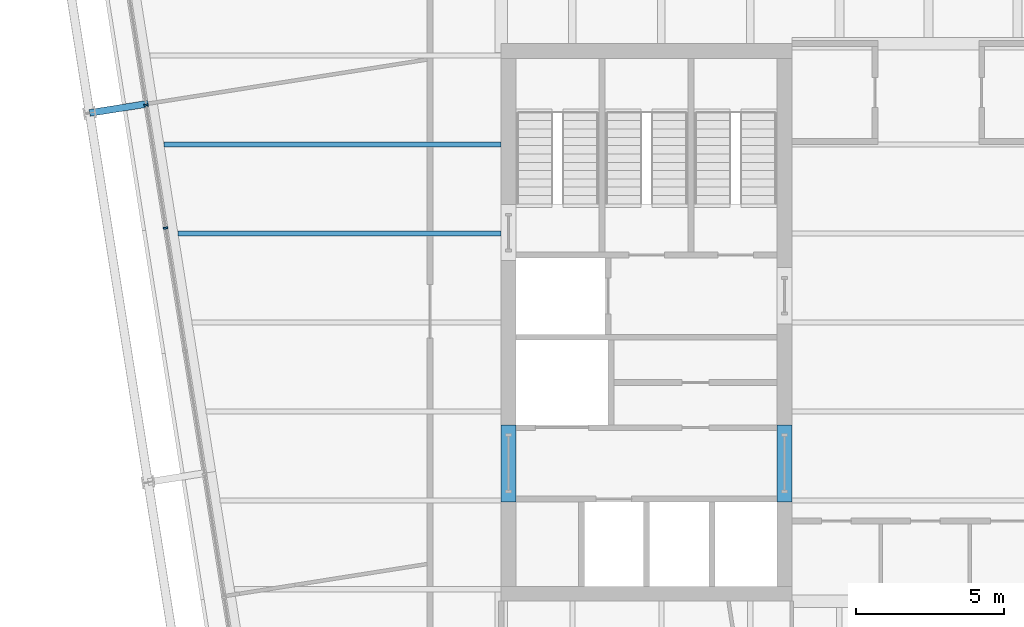
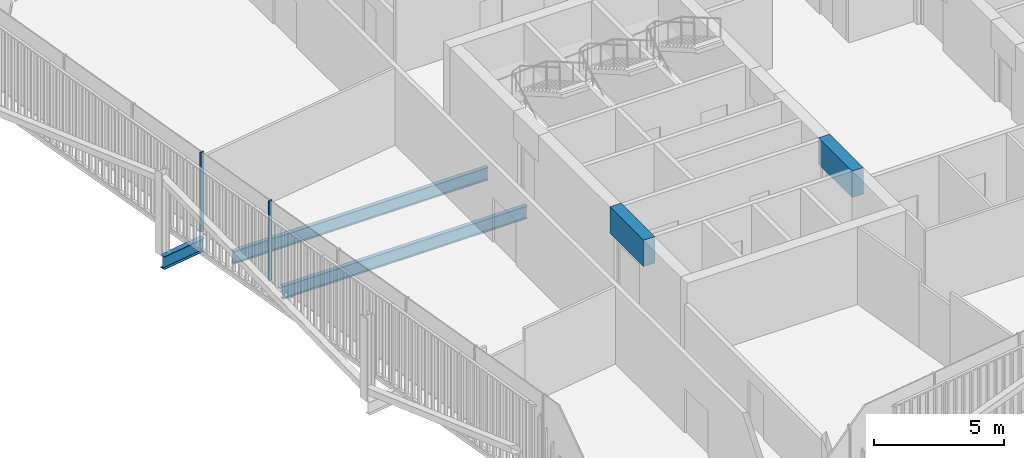
# One storey, part 7 of 21: 5 beams, 2 members, 1 element without a shape of its own.
"""IFC4 building model written with IfcOpenShell, lengths in metres."""

from ifc_helpers import new_model, si_unit, direction, frame, origin, origin_2d, place, context, subcontext, project, spatial, rectangle, i_section, extrude, material, layer, layer_set, material_profile, profile_set, type_object, element, aggregate, save


model = new_model("IFC4")

# Units and contexts
model_context = context("Model", 3, precision=1e-05, world=origin(), true_north=direction((0.0, 1.0)))
body_context = subcontext(model_context, "Body", "Model", "MODEL_VIEW")
ifc_project = project(units=[si_unit("LENGTHUNIT", "METRE"), si_unit("AREAUNIT", "SQUARE_METRE"), si_unit("VOLUMEUNIT", "CUBIC_METRE"), si_unit("PLANEANGLEUNIT", "RADIAN"), si_unit("MASSUNIT", "GRAM", prefix="KILO")], contexts=[model_context])

# Site, building, storey
site_placement = place(None, origin())
site = spatial("IfcSite", under=ifc_project, at=site_placement, CompositionType="ELEMENT")
building_placement = place(site_placement, origin())
building = spatial("IfcBuilding", under=site, at=building_placement, Name="Millrace Tower", CompositionType="ELEMENT")
storey_placement = place(building_placement, frame((0.0, 0.0, 263.0)))
storey = spatial("IfcBuildingStorey", under=building, at=storey_placement, Name="L60", CompositionType="ELEMENT", Elevation=263.0)

# Curtain wall, members
ifc_material_1 = material(Name="Aluminium and glass", Category="aluminium")
ifc_layer = layer(ifc_material_1, 0.14990234375)
ifc_layer_set = layer_set([ifc_layer], Name="Aluminium and glass")
curtain_wall_type = type_object("IfcCurtainWallType", Name="CW-1 office vision curtain wall", PredefinedType="NOTDEFINED", material=ifc_layer_set)
curtain_wall_placement = place(storey_placement, origin())
curtain_wall = element("IfcCurtainWall", 1, at=curtain_wall_placement, inside=storey, type_object=curtain_wall_type, Name="Curtain wall D-F08 L60", PredefinedType="NOTDEFINED")
ifc_material_2 = material(Name="Aluminium", Category="aluminium")
ifc_material_profile_1 = material_profile(ifc_material_2, rectangle(XDim=0.06494140625, YDim=0.14990234375, at=origin_2d()))
ifc_profile_set_1 = profile_set([ifc_material_profile_1], Name="Aluminium")
member_type = type_object("IfcMemberType", Name="CW-1 office vision curtain wall mullion", PredefinedType="MULLION", material=ifc_profile_set_1)
member_1_placement = place(storey_placement, frame((-26.371337890625, 7.33056640625, 0.139892578125), z_axis=(0.0, 0.0, 1.0), x_axis=(0.156434471884, -0.987688339511, 0.0)))
member_1 = element("IfcMember", 2, at=member_1_placement, type_object=member_type, Name="CW1 mullion D-F08.4", PredefinedType="MULLION", context=body_context, shape_type="SweptSolid", body=[
    extrude(rectangle(XDim=0.06494140625, YDim=0.14990234375, at=origin_2d()), origin(), (0.0, 0.0, 1.0), 3.760009765625),
])
member_2_placement = place(storey_placement, frame((-25.71435546875, 3.182373046875, 0.139892578125), z_axis=(0.0, 0.0, 1.0), x_axis=(0.156434471884, -0.987688339511, 0.0)))
member_2 = element("IfcMember", 3, at=member_2_placement, type_object=member_type, Name="CW1 mullion D-F08.5", PredefinedType="MULLION", context=body_context, shape_type="SweptSolid", body=[
    extrude(rectangle(XDim=0.06494140625, YDim=0.14990234375, at=origin_2d()), origin(), (0.0, 0.0, 1.0), 3.760009765625),
])
aggregate(curtain_wall, [member_1, member_2])

# Beams
ifc_material_3 = material(Name="Concrete C60", Category="concrete")
ifc_material_profile_2 = material_profile(ifc_material_3, rectangle(XDim=0.5, YDim=1.25, at=origin_2d()))
ifc_profile_set_2 = profile_set([ifc_material_profile_2], Name="Concrete C60")
beam_type_1 = type_object("IfcBeamType", Name="Coupling beam 500 x 1250 Concrete C60, 2000 opening", PredefinedType="BEAM", material=ifc_profile_set_2)
for number, where, z_axis, x_axis, name in (
    (4, (-14.14990234375, -6.050048828125, 3.02490234375), (0.0, 1.0, 0.0), (-1.0, 0.0, 0.0), "Coupling beam W L60"),
    (5, (-4.85009765625, -6.050048828125, 3.02490234375), (0.0, 1.0, 0.0), (-1.0, 0.0, 0.0), "Coupling beam W L60"),
):
    element("IfcBeam", number, at=place(storey_placement, frame(where, z_axis=z_axis, x_axis=x_axis)), inside=storey, type_object=beam_type_1, Name=name, PredefinedType="BEAM", context=body_context, shape_type="SweptSolid", body=[
        extrude(rectangle(XDim=0.5, YDim=1.25, at=origin_2d()), origin(), (0.0, 0.0, 1.0), 2.60009765625),
    ])
ifc_material_4 = material(Name="Steel ASTM A992 Grade 50", Category="steel")
ifc_material_profile_3 = material_profile(ifc_material_4, i_section(OverallWidth=0.1787109375, OverallDepth=0.60205078125, WebThickness=0.010986328125, FlangeThickness=0.014892578125, FilletRadius=0.0126953125, at=origin_2d()))
ifc_profile_set_3 = profile_set([ifc_material_profile_3], Name="Steel ASTM A992 Grade 50")
beam_type_2 = type_object("IfcBeamType", Name="Floor beam W24x62", PredefinedType="JOIST", material=ifc_profile_set_3)
beam_1_placement = place(storey_placement, frame((-25.29833984375, 3.0, -0.4609375), z_axis=(1.0, 0.0, 0.0), x_axis=(0.0, 1.0, 0.0)))
element("IfcBeam", 6, at=beam_1_placement, inside=storey, type_object=beam_type_2, Name="BM-D-L60-S1-S018", PredefinedType="JOIST", context=body_context, shape_type="SweptSolid", body=[
    extrude(i_section(OverallWidth=0.1787109375, OverallDepth=0.60205078125, WebThickness=0.010986328125, FlangeThickness=0.014892578125, FilletRadius=0.0126953125, at=origin_2d()), origin(), (0.0, 0.0, 1.0), 10.8984375),
])
beam_2_placement = place(storey_placement, frame((-25.7734375, 6.0, -0.4609375), z_axis=(1.0, 0.0, 0.0), x_axis=(0.0, 1.0, 0.0)))
element("IfcBeam", 7, at=beam_2_placement, inside=storey, type_object=beam_type_2, Name="BM-D-L60-S1-S021", PredefinedType="JOIST", context=body_context, shape_type="SweptSolid", body=[
    extrude(i_section(OverallWidth=0.1787109375, OverallDepth=0.60205078125, WebThickness=0.010986328125, FlangeThickness=0.014892578125, FilletRadius=0.0126953125, at=origin_2d()), origin(), (0.0, 0.0, 1.0), 11.37353515625),
])
ifc_material_5 = material(Name="Steel ASTM A992 Grade 50", Category="steel")
ifc_material_profile_4 = material_profile(ifc_material_5, i_section(OverallWidth=0.23046875, OverallDepth=0.6171875, WebThickness=0.01318359375, FlangeThickness=0.022216796875, FilletRadius=0.012939453125, at=origin_2d()))
ifc_profile_set_4 = profile_set([ifc_material_profile_4], Name="Steel ASTM A992 Grade 50")
beam_type_3 = type_object("IfcBeamType", Name="Link beam W24x94", PredefinedType="BEAM", material=ifc_profile_set_4)
beam_3_placement = place(storey_placement, frame((-26.302490234375, 7.37451171875, -0.468505859375), z_axis=(-0.987678691416, -0.156495375404, 0.0), x_axis=(0.156495375404, -0.987678691416, 0.0)))
element("IfcBeam", 8, at=beam_3_placement, inside=storey, type_object=beam_type_3, Name="LNK-D-L60-S1-03", PredefinedType="BEAM", context=body_context, shape_type="SweptSolid", body=[
    extrude(i_section(OverallWidth=0.23046875, OverallDepth=0.6171875, WebThickness=0.01318359375, FlangeThickness=0.022216796875, FilletRadius=0.012939453125, at=origin_2d()), origin(), (0.0, 0.0, 1.0), 2.0),
])

save(model, "model.ifc")
